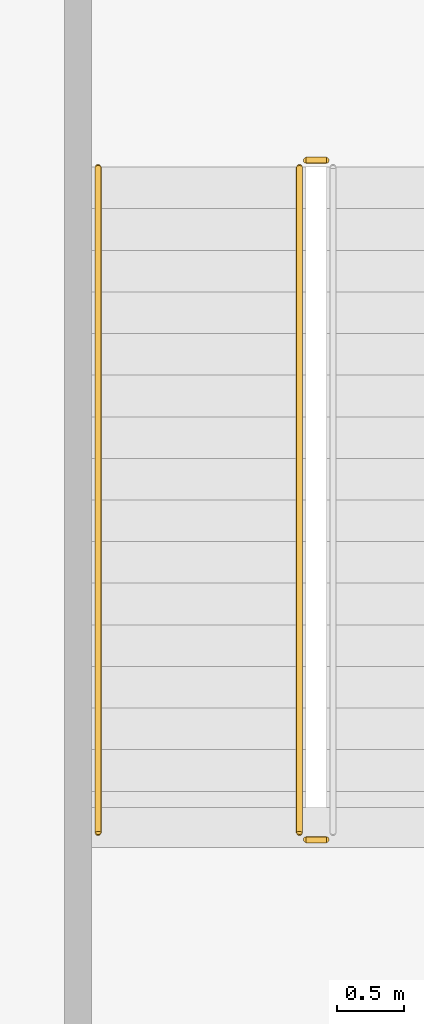
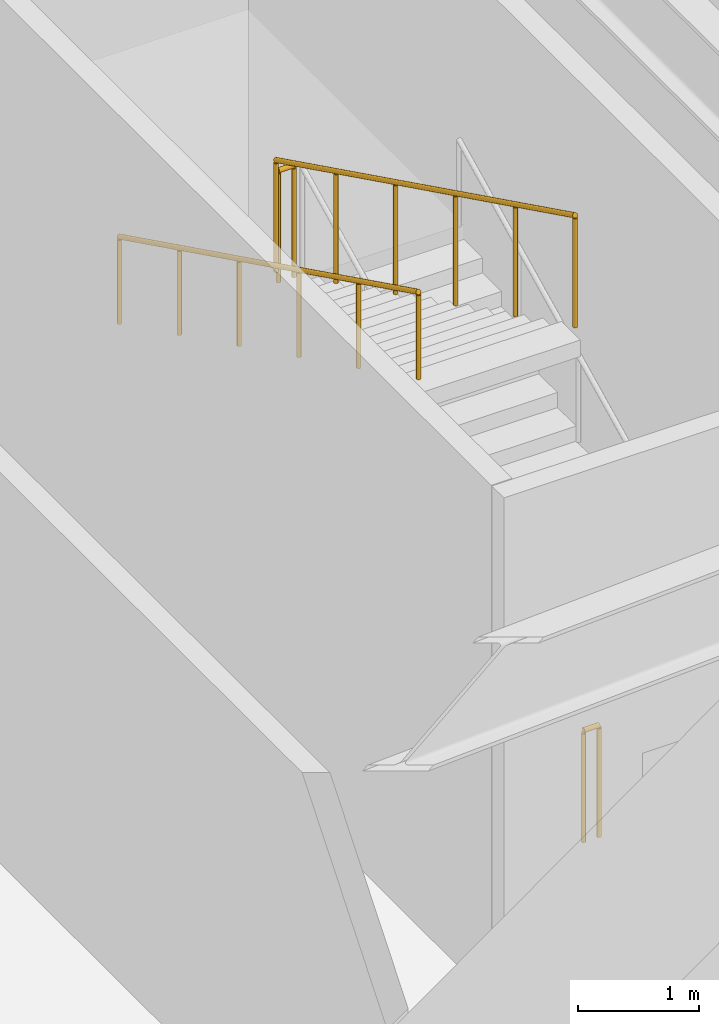
# One storey, part 5 of 9: 4 railings.
"""IFC4 building model written with IfcOpenShell, lengths in metres."""

from ifc_helpers import new_model, si_unit, direction, frame, origin, origin_2d, place, context, subcontext, project, spatial, circle, extrude, material, type_object, element, save


model = new_model("IFC4")

# Units and contexts
model_context = context("Model", 3, precision=1e-05, world=origin(), true_north=direction((0.0, 1.0)))
body_context = subcontext(model_context, "Body", "Model", "MODEL_VIEW")
ifc_project = project(units=[si_unit("LENGTHUNIT", "METRE"), si_unit("AREAUNIT", "SQUARE_METRE"), si_unit("VOLUMEUNIT", "CUBIC_METRE"), si_unit("PLANEANGLEUNIT", "RADIAN"), si_unit("MASSUNIT", "GRAM", prefix="KILO")], contexts=[model_context])

# Site, building, storey
site_placement = place(None, origin())
site = spatial("IfcSite", under=ifc_project, at=site_placement, CompositionType="ELEMENT")
building_placement = place(site_placement, origin())
building = spatial("IfcBuilding", under=site, at=building_placement, Name="Vaeldorn Concourse Tower", CompositionType="ELEMENT")
storey_placement = place(building_placement, frame((0.0, 0.0, -10.39990234375)))
storey = spatial("IfcBuildingStorey", under=building, at=storey_placement, Name="B02", CompositionType="ELEMENT", Elevation=-10.39990234375)

# Railings
ifc_material = material(Name="Anodised Bronze Aluminium", Category="aluminium")
railing_type_1 = type_object("IfcRailingType", Name="RL-STAIR-GUARD", PredefinedType="GUARDRAIL", material=ifc_material)
railing_1_placement = place(storey_placement, frame((64.0, 9.860107421875, 2.599853515625)))
element("IfcRailing", 1, at=railing_1_placement, inside=storey, type_object=railing_type_1, Name="B02 ST-5 stair guard 2", PredefinedType="GUARDRAIL", context=body_context, shape_type="SweptSolid", body=[
    extrude(circle(Radius=0.02392578125, at=origin_2d()), frame((0.0, 0.0, 1.1259765625), z_axis=(-1.0, 0.0, 0.0), x_axis=(0.0, -1.0, 0.0)), (0.0, 0.0, 1.0), 0.14990234375),
    extrude(circle(Radius=0.02099609375, at=origin_2d()), origin(), (0.0, 0.0, 1.0), 1.101806640625),
    extrude(circle(Radius=0.02099609375, at=origin_2d()), frame((-0.14990234375, 0.0, 0.0)), (0.0, 0.0, 1.0), 1.101806640625),
])
railing_2_placement = place(storey_placement, frame((63.800048828125, 9.81005859375, 2.7529296875)))
element("IfcRailing", 2, at=railing_2_placement, inside=storey, type_object=railing_type_1, Name="B02 ST-5 stair guard 3", PredefinedType="GUARDRAIL", context=body_context, shape_type="SweptSolid", body=[
    extrude(circle(Radius=0.02392578125, at=origin_2d()), frame((0.0, 0.0, 1.1259765625), z_axis=(0.0, -0.896798178328, 0.442439857323), x_axis=(1.0, 0.0, 0.0)), (0.0, 0.0, 1.0), 5.53076171875),
    extrude(circle(Radius=0.02099609375, at=origin_2d()), origin(), (0.0, 0.0, 1.0), 1.101806640625),
    extrude(circle(Radius=0.02099609375, at=origin_2d()), frame((0.0, -0.991943359375, 0.489501953125)), (0.0, 0.0, 1.0), 1.101806640625),
    extrude(circle(Radius=0.02099609375, at=origin_2d()), frame((0.0, -1.98388671875, 0.978759765625)), (0.0, 0.0, 1.0), 1.101806640625),
    extrude(circle(Radius=0.02099609375, at=origin_2d()), frame((0.0, -2.97607421875, 1.46826171875)), (0.0, 0.0, 1.0), 1.101806640625),
    extrude(circle(Radius=0.02099609375, at=origin_2d()), frame((0.0, -3.968017578125, 1.95751953125)), (0.0, 0.0, 1.0), 1.101806640625),
    extrude(circle(Radius=0.02099609375, at=origin_2d()), frame((0.0, -4.9599609375, 2.447021484375)), (0.0, 0.0, 1.0), 1.101806640625),
])
railing_3_placement = place(storey_placement, frame((64.0, 4.800048828125, 0.0)))
element("IfcRailing", 3, at=railing_3_placement, inside=storey, type_object=railing_type_1, Name="B02 ST-5 stair guard 4", PredefinedType="GUARDRAIL", context=body_context, shape_type="SweptSolid", body=[
    extrude(circle(Radius=0.02392578125, at=origin_2d()), frame((0.0, 0.0, 1.1259765625), z_axis=(-1.0, 0.0, 0.0), x_axis=(0.0, -1.0, 0.0)), (0.0, 0.0, 1.0), 0.14990234375),
    extrude(circle(Radius=0.02099609375, at=origin_2d()), origin(), (0.0, 0.0, 1.0), 1.101806640625),
    extrude(circle(Radius=0.02099609375, at=origin_2d()), frame((-0.14990234375, 0.0, 0.0)), (0.0, 0.0, 1.0), 1.101806640625),
])
railing_type_2 = type_object("IfcRailingType", Name="RL-STAIR-HANDRAIL", PredefinedType="HANDRAIL", material=ifc_material)
railing_4_placement = place(storey_placement, frame((62.300048828125, 9.81005859375, 2.7529296875)))
element("IfcRailing", 4, at=railing_4_placement, inside=storey, type_object=railing_type_2, Name="B02 ST-5 stair handrail 2", PredefinedType="HANDRAIL", context=body_context, shape_type="SweptSolid", body=[
    extrude(circle(Radius=0.02392578125, at=origin_2d()), frame((0.0, 0.0, 0.8759765625), z_axis=(0.0, -0.896798178328, 0.442439857323), x_axis=(1.0, 0.0, 0.0)), (0.0, 0.0, 1.0), 5.53076171875),
    extrude(circle(Radius=0.02099609375, at=origin_2d()), origin(), (0.0, 0.0, 1.0), 0.851806640625),
    extrude(circle(Radius=0.02099609375, at=origin_2d()), frame((0.0, -0.991943359375, 0.489501953125)), (0.0, 0.0, 1.0), 0.851806640625),
    extrude(circle(Radius=0.02099609375, at=origin_2d()), frame((0.0, -1.98388671875, 0.978759765625)), (0.0, 0.0, 1.0), 0.851806640625),
    extrude(circle(Radius=0.02099609375, at=origin_2d()), frame((0.0, -2.97607421875, 1.46826171875)), (0.0, 0.0, 1.0), 0.851806640625),
    extrude(circle(Radius=0.02099609375, at=origin_2d()), frame((0.0, -3.968017578125, 1.95751953125)), (0.0, 0.0, 1.0), 0.851806640625),
    extrude(circle(Radius=0.02099609375, at=origin_2d()), frame((0.0, -4.9599609375, 2.447021484375)), (0.0, 0.0, 1.0), 0.851806640625),
])

save(model, "model.ifc")
